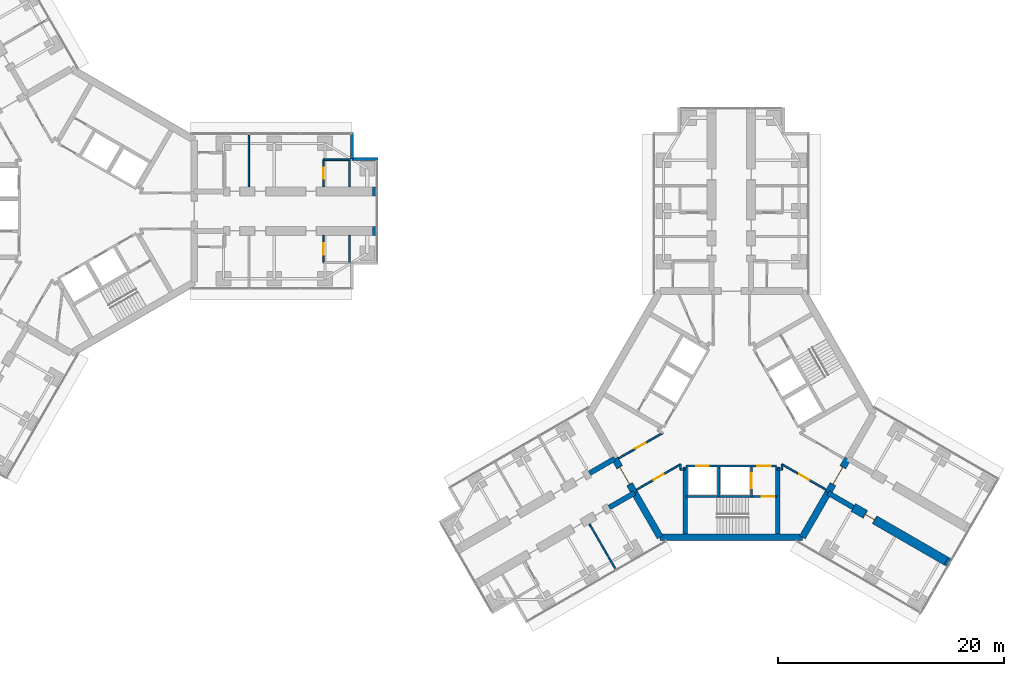
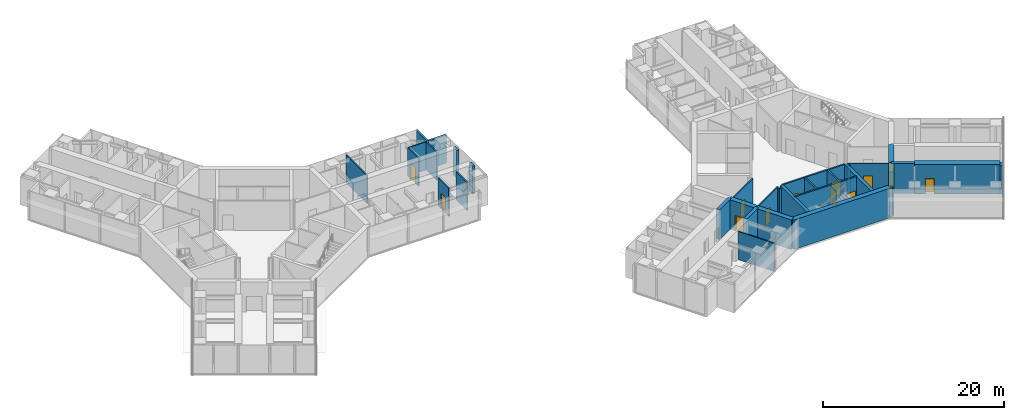
# One storey, part 18 of 22: 34 walls, 12 doors, 12 openings.
"""IFC4 building model written with IfcOpenShell, lengths in metres."""

from ifc_helpers import new_model, si_unit, direction, frame, frame_2d, origin, place, context, subcontext, project, spatial, rectangle, extrude, material, layer, layer_set, type_object, element, fill, save


model = new_model("IFC4")

# Units and contexts
model_context = context("Model", 3, precision=1e-05, world=origin(), true_north=direction((0.0, 1.0)))
body_context = subcontext(model_context, "Body", "Model", "MODEL_VIEW")
ifc_project = project(units=[si_unit("LENGTHUNIT", "METRE"), si_unit("AREAUNIT", "SQUARE_METRE"), si_unit("VOLUMEUNIT", "CUBIC_METRE"), si_unit("PLANEANGLEUNIT", "RADIAN"), si_unit("MASSUNIT", "GRAM", prefix="KILO")], contexts=[model_context])

# Site, building, storey
site_placement = place(None, origin())
site = spatial("IfcSite", under=ifc_project, at=site_placement, CompositionType="ELEMENT")
building_placement = place(site_placement, origin())
building = spatial("IfcBuilding", under=site, at=building_placement, Name="Upepo Twin Towers", CompositionType="ELEMENT")
storey_placement = place(building_placement, frame((0.0, 0.0, 121.5)))
storey = spatial("IfcBuildingStorey", under=building, at=storey_placement, Name="L29", CompositionType="ELEMENT", Elevation=121.5)

# Walls
ifc_material_1 = material(Name="Dense concrete blockwork", Category="masonry")
ifc_layer_1 = layer(ifc_material_1, 0.800048828125)
ifc_layer_set_1 = layer_set([ifc_layer_1], Name="Buttress closer 800, blockwork with fire-stopping to the curtain wall")
wall_type_1 = type_object("IfcWallType", Name="Buttress closer 800, blockwork with fire-stopping to the curtain wall", PredefinedType="PARTITIONING", material=ifc_layer_set_1)
for number, where, z_axis, x_axis, name in (
    (1, (26.699951171875, 1.75, 0.0), (0.0, 0.0, 1.0), (1.0, 0.0, 0.0), "T1 L29 wing A buttress closer L"),
    (2, (26.699951171875, -1.75, 0.0), (0.0, 0.0, 1.0), (1.0, 0.0, 0.0), "T1 L29 wing A buttress closer R"),
):
    element("IfcWall", number, at=place(storey_placement, frame(where, z_axis=z_axis, x_axis=x_axis)), inside=storey, type_object=wall_type_1, Name=name, PredefinedType="PARTITIONING", context=body_context, shape_type="SweptSolid", body=[
        extrude(rectangle(XDim=0.300048828125, YDim=0.800048828125, at=frame_2d((0.14990234375, 0.0))), origin(), (0.0, 0.0, 1.0), 3.800048828125),
    ])
wall_1_placement = place(storey_placement, frame((77.543701171875, -31.015625, 0.0), z_axis=(0.0, 0.0, 1.0), x_axis=(0.865827443207, -0.500342721131, 0.0)))
element("IfcWall", 3, at=wall_1_placement, inside=storey, type_object=wall_type_1, Name="T2 L29 wing C buttress closer R", PredefinedType="PARTITIONING", context=body_context, shape_type="SweptSolid", body=[
    extrude(rectangle(XDim=0.249755859375, YDim=0.800048828125, at=frame_2d((0.125, 0.0))), origin(), (0.0, 0.0, 1.0), 3.800048828125),
])
ifc_material_2 = material(Name="Concrete C60/75", Category="concrete")
ifc_layer_2 = layer(ifc_material_2, 0.449951171875)
ifc_layer_set_2 = layer_set([ifc_layer_2], Name="Concrete C60/75")
wall_type_2 = type_object("IfcWallType", Name="Buttress wall 450 RC", PredefinedType="SHEAR", material=ifc_layer_set_2)
for number, where, z_axis, x_axis, name in (
    (4, (49.92822265625, -24.9697265625, 0.0), (0.0, 0.0, 1.0), (-0.866031863473, -0.499988811324, 0.0), "T2 wing B buttress wall L"),
    (5, (48.17822265625, -21.938720703125, 0.0), (0.0, 0.0, 1.0), (-0.866072649678, -0.499918158782, 0.0), "T2 wing B buttress wall R"),
    (6, (67.07177734375, -24.9697265625, 0.0), (0.0, 0.0, 1.0), (0.866031863473, -0.499988811324, 0.0), "T2 wing C buttress wall R"),
):
    element("IfcWall", number, at=place(storey_placement, frame(where, z_axis=z_axis, x_axis=x_axis)), inside=storey, type_object=wall_type_2, Name=name, PredefinedType="SHEAR", context=body_context, shape_type="SweptSolid", body=[
        extrude(rectangle(XDim=2.591796875, YDim=0.449951171875, at=frame_2d((1.2958984375, 0.0))), origin(), (0.0, 0.0, 1.0), 4.0),
    ])

# Wall, opening, door
ifc_material_3 = material(Name="Concrete C60/75", Category="concrete")
ifc_layer_3 = layer(ifc_material_3, 0.800048828125)
ifc_layer_set_3 = layer_set([ifc_layer_3], Name="Concrete C60/75")
wall_type_3 = type_object("IfcWallType", Name="Buttress wall 800 RC", PredefinedType="SHEAR", material=ifc_layer_set_3)
wall_2_placement = place(storey_placement, frame((69.31640625, -26.265625, 0.0), z_axis=(0.0, 0.0, 1.0), x_axis=(0.86602681393, -0.499997557548, 0.0)))
wall_2 = element("IfcWall", 7, at=wall_2_placement, inside=storey, type_object=wall_type_3, Name="T2 wing C buttress wall R part 2", PredefinedType="SHEAR", context=body_context, shape_type="SweptSolid", body=[
    extrude(rectangle(XDim=9.5, YDim=0.800048828125, at=frame_2d((4.75, 0.0))), origin(), (0.0, 0.0, 1.0), 4.0),
])
opening_1_placement = place(wall_2_placement, frame((1.199951171875, 0.0, 0.0)))
opening_1 = element("IfcOpeningElement", 8, at=opening_1_placement, cuts=wall_2, Name="Opening D1", PredefinedType="OPENING", context=body_context, shape_type="SweptSolid", body=[
    extrude(rectangle(XDim=1.0, YDim=2.10009765625, at=frame_2d((0.5, 1.050048828125))), frame((0.0, 0.409912109375, 0.0), z_axis=(0.0, -1.0, 0.0), x_axis=(1.0, 0.0, 0.0)), (0.0, 0.0, 1.0), 0.820068359375),
])
ifc_material_4 = material(Name="Timber doorset", Category="wood")
door_type_1 = type_object("IfcDoorType", Name="Room door 1000 FD30", OperationType="SINGLE_SWING_LEFT", PredefinedType="DOOR", material=ifc_material_4)
door_1_placement = place(opening_1_placement, origin())
door_1 = element("IfcDoor", 9, at=door_1_placement, inside=storey, type_object=door_type_1, Name="T2 L29 staff office door", OperationType="SINGLE_SWING_LEFT", OverallHeight=2.10009765625, OverallWidth=1.0, PredefinedType="DOOR", context=body_context, shape_type="SweptSolid", body=[
    extrude(rectangle(XDim=0.92, YDim=2.06009765625, at=frame_2d((0.5, 1.030029296875))), frame((0.0, 0.02490234375, 0.0), z_axis=(0.0, -1.0, 0.0), x_axis=(1.0, 0.0, 0.0)), (0.0, 0.0, 1.0), 0.050048828125),
    extrude(rectangle(XDim=0.04, YDim=2.10009765625, at=frame_2d((0.02001953125, 1.050048828125))), frame((0.0, 0.39990234375, 0.0), z_axis=(0.0, -1.0, 0.0), x_axis=(1.0, 0.0, 0.0)), (0.0, 0.0, 1.0), 0.799560546875),
    extrude(rectangle(XDim=0.04, YDim=2.10009765625, at=frame_2d((0.97998046875, 1.050048828125))), frame((0.0, 0.39990234375, 0.0), z_axis=(0.0, -1.0, 0.0), x_axis=(1.0, 0.0, 0.0)), (0.0, 0.0, 1.0), 0.799560546875),
    extrude(rectangle(XDim=0.92, YDim=0.04, at=frame_2d((0.5, 2.080078125))), frame((0.0, 0.39990234375, 0.0), z_axis=(0.0, -1.0, 0.0), x_axis=(1.0, 0.0, 0.0)), (0.0, 0.0, 1.0), 0.799560546875),
])
fill(opening_1, door_1)

ifc_material_5 = material(Name="Concrete C60/75", Category="concrete")
ifc_layer_4 = layer(ifc_material_5, 0.60009765625)
ifc_layer_set_4 = layer_set([ifc_layer_4], Name="Concrete C60/75")
wall_type_4 = type_object("IfcWallType", Name="Core wall 600 RC", PredefinedType="SHEAR", material=ifc_layer_set_4)
wall_3_placement = place(storey_placement, frame((48.17822265625, -21.938720703125, 0.0), z_axis=(0.0, 0.0, 1.0), x_axis=(0.500010275428, -0.866019471182, 0.0)))
wall_3 = element("IfcWall", 10, at=wall_3_placement, inside=storey, type_object=wall_type_4, Name="T2 core wall 120", PredefinedType="SHEAR", context=body_context, shape_type="SweptSolid", body=[
    extrude(rectangle(XDim=3.5, YDim=0.60009765625, at=frame_2d((1.75, 0.0))), origin(), (0.0, 0.0, 1.0), 4.0),
])
opening_2_placement = place(wall_3_placement, frame((0.85009765625, 0.0, 0.0)))
opening_2 = element("IfcOpeningElement", 11, at=opening_2_placement, cuts=wall_3, Name="Opening D2", PredefinedType="OPENING", context=body_context, shape_type="SweptSolid", body=[
    extrude(rectangle(XDim=1.800048828125, YDim=2.10009765625, at=frame_2d((0.89990234375, 1.050048828125))), frame((0.0, 0.31005859375, 0.0), z_axis=(0.0, -1.0, 0.0), x_axis=(1.0, 0.0, 0.0)), (0.0, 0.0, 1.0), 0.6201171875),
])
ifc_material_6 = material(Name="Timber doorset", Category="wood")
door_type_2 = type_object("IfcDoorType", Name="Corridor double door 1800 FD60", OperationType="DOUBLE_DOOR_DOUBLE_SWING", PredefinedType="DOOR", material=ifc_material_6)
door_2_placement = place(opening_2_placement, origin())
door_2 = element("IfcDoor", 12, at=door_2_placement, inside=storey, type_object=door_type_2, Name="T2 L29 wing B corridor door", OperationType="DOUBLE_DOOR_DOUBLE_SWING", OverallHeight=2.10009765625, OverallWidth=1.800048828125, PredefinedType="DOOR", context=body_context, shape_type="SweptSolid", body=[
    extrude(rectangle(XDim=1.720048828125, YDim=2.06009765625, at=frame_2d((0.89990234375, 1.030029296875))), frame((0.0, 0.02490234375, 0.0), z_axis=(0.0, -1.0, 0.0), x_axis=(1.0, 0.0, 0.0)), (0.0, 0.0, 1.0), 0.050048828125),
    extrude(rectangle(XDim=0.04, YDim=2.10009765625, at=frame_2d((0.02001953125, 1.050048828125))), frame((0.0, 0.2998046875, 0.0), z_axis=(0.0, -1.0, 0.0), x_axis=(1.0, 0.0, 0.0)), (0.0, 0.0, 1.0), 0.599609375),
    extrude(rectangle(XDim=0.04, YDim=2.10009765625, at=frame_2d((1.780029296875, 1.050048828125))), frame((0.0, 0.2998046875, 0.0), z_axis=(0.0, -1.0, 0.0), x_axis=(1.0, 0.0, 0.0)), (0.0, 0.0, 1.0), 0.599609375),
    extrude(rectangle(XDim=1.720048828125, YDim=0.04, at=frame_2d((0.89990234375, 2.080078125))), frame((0.0, 0.2998046875, 0.0), z_axis=(0.0, -1.0, 0.0), x_axis=(1.0, 0.0, 0.0)), (0.0, 0.0, 1.0), 0.599609375),
])
fill(opening_2, door_2)

# Walls
wall_4_placement = place(storey_placement, frame((49.92822265625, -24.9697265625, 0.0), z_axis=(0.0, 0.0, 1.0), x_axis=(0.499984222037, -0.866034513004, 0.0)))
element("IfcWall", 13, at=wall_4_placement, inside=storey, type_object=wall_type_4, Name="T2 core wall 120 L", PredefinedType="SHEAR", context=body_context, shape_type="SweptSolid", body=[
    extrude(rectangle(XDim=4.548095703125, YDim=0.60009765625, at=frame_2d((2.27392578125, 0.0))), origin(), (0.0, 0.0, 1.0), 4.0),
])
wall_5_placement = place(storey_placement, frame((52.2021484375, -28.908447265625, 0.0), z_axis=(0.0, 0.0, 1.0), x_axis=(1.0, 0.0, 0.0)))
element("IfcWall", 14, at=wall_5_placement, inside=storey, type_object=wall_type_4, Name="T2 core wall 180", PredefinedType="SHEAR", context=body_context, shape_type="SweptSolid", body=[
    extrude(rectangle(XDim=12.595703125, YDim=0.60009765625, at=frame_2d((6.2978515625, 0.0))), origin(), (0.0, 0.0, 1.0), 4.0),
])
wall_6_placement = place(storey_placement, frame((64.7978515625, -28.908447265625, 0.0), z_axis=(0.0, 0.0, 1.0), x_axis=(0.499984222037, 0.866034513004, 0.0)))
element("IfcWall", 15, at=wall_6_placement, inside=storey, type_object=wall_type_4, Name="T2 core wall 240 R", PredefinedType="SHEAR", context=body_context, shape_type="SweptSolid", body=[
    extrude(rectangle(XDim=4.548095703125, YDim=0.60009765625, at=frame_2d((2.27392578125, 0.0))), origin(), (0.0, 0.0, 1.0), 4.0),
])

# Wall, opening, door
wall_7_placement = place(storey_placement, frame((67.07177734375, -24.9697265625, 0.0), z_axis=(0.0, 0.0, 1.0), x_axis=(0.500010275428, 0.866019471182, 0.0)))
wall_7 = element("IfcWall", 16, at=wall_7_placement, inside=storey, type_object=wall_type_4, Name="T2 core wall 240", PredefinedType="SHEAR", context=body_context, shape_type="SweptSolid", body=[
    extrude(rectangle(XDim=3.5, YDim=0.60009765625, at=frame_2d((1.75, 0.0))), origin(), (0.0, 0.0, 1.0), 4.0),
])
opening_3_placement = place(wall_7_placement, frame((0.85009765625, 0.0, 0.0)))
opening_3 = element("IfcOpeningElement", 17, at=opening_3_placement, cuts=wall_7, Name="Opening D2", PredefinedType="OPENING", context=body_context, shape_type="SweptSolid", body=[
    extrude(rectangle(XDim=1.800048828125, YDim=2.10009765625, at=frame_2d((0.89990234375, 1.050048828125))), frame((0.0, 0.31005859375, 0.0), z_axis=(0.0, -1.0, 0.0), x_axis=(1.0, 0.0, 0.0)), (0.0, 0.0, 1.0), 0.6201171875),
])
door_3_placement = place(opening_3_placement, origin())
door_3 = element("IfcDoor", 18, at=door_3_placement, inside=storey, type_object=door_type_2, Name="T2 L29 wing C corridor door", OperationType="DOUBLE_DOOR_DOUBLE_SWING", OverallHeight=2.10009765625, OverallWidth=1.800048828125, PredefinedType="DOOR", context=body_context, shape_type="SweptSolid", body=[
    extrude(rectangle(XDim=1.720048828125, YDim=2.06009765625, at=frame_2d((0.89990234375, 1.030029296875))), frame((0.0, 0.02490234375, 0.0), z_axis=(0.0, -1.0, 0.0), x_axis=(1.0, 0.0, 0.0)), (0.0, 0.0, 1.0), 0.050048828125),
    extrude(rectangle(XDim=0.04, YDim=2.10009765625, at=frame_2d((0.02001953125, 1.050048828125))), frame((0.0, 0.2998046875, 0.0), z_axis=(0.0, -1.0, 0.0), x_axis=(1.0, 0.0, 0.0)), (0.0, 0.0, 1.0), 0.599609375),
    extrude(rectangle(XDim=0.04, YDim=2.10009765625, at=frame_2d((1.780029296875, 1.050048828125))), frame((0.0, 0.2998046875, 0.0), z_axis=(0.0, -1.0, 0.0), x_axis=(1.0, 0.0, 0.0)), (0.0, 0.0, 1.0), 0.599609375),
    extrude(rectangle(XDim=1.720048828125, YDim=0.04, at=frame_2d((0.89990234375, 2.080078125))), frame((0.0, 0.2998046875, 0.0), z_axis=(0.0, -1.0, 0.0), x_axis=(1.0, 0.0, 0.0)), (0.0, 0.0, 1.0), 0.599609375),
])
fill(opening_3, door_3)

# Walls
ifc_material_7 = material(Name="Blockwork with anodised aluminium cladding", Category="masonry")
ifc_layer_5 = layer(ifc_material_7, 0.25)
ifc_layer_set_5 = layer_set([ifc_layer_5], Name="Notch cladding wall 250, pale metal")
wall_type_5 = type_object("IfcWallType", Name="Notch cladding wall 250, pale metal", PredefinedType="STANDARD", material=ifc_layer_set_5)
for number, where, z_axis, x_axis, name in (
    (19, (24.875, 6.949951171875, 0.0), (0.0, 0.0, 1.0), (0.0, -1.0, 0.0), "T1 L29 wing A notch wall L1"),
    (20, (24.875, 4.625, 0.0), (0.0, 0.0, 1.0), (1.0, 0.0, 0.0), "T1 L29 wing A notch wall L2"),
):
    element("IfcWall", number, at=place(storey_placement, frame(where, z_axis=z_axis, x_axis=x_axis)), inside=storey, type_object=wall_type_5, Name=name, PredefinedType="STANDARD", context=body_context, shape_type="SweptSolid", body=[
        extrude(rectangle(XDim=2.324951171875, YDim=0.25, at=frame_2d((1.16259765625, 0.0))), origin(), (0.0, 0.0, 1.0), 3.800048828125),
    ])

# Wall, openings, doors
ifc_material_8 = material(Name="Concrete C40/50", Category="concrete")
ifc_layer_6 = layer(ifc_material_8, 0.199951171875)
ifc_layer_set_6 = layer_set([ifc_layer_6], Name="Concrete C40/50")
wall_type_6 = type_object("IfcWallType", Name="Shaft wall 200 RC", PredefinedType="SHEAR", material=ifc_layer_set_6)
wall_8_placement = place(storey_placement, frame((54.5, -22.60009765625, 0.0), z_axis=(0.0, 0.0, 1.0), x_axis=(1.0, 0.0, 0.0)))
wall_8 = element("IfcWall", 21, at=wall_8_placement, inside=storey, type_object=wall_type_6, Name="T2 core W180 front wall", PredefinedType="SHEAR", context=body_context, shape_type="SweptSolid", body=[
    extrude(rectangle(XDim=8.0, YDim=0.199951171875, at=frame_2d((4.0, 0.0))), origin(), (0.0, 0.0, 1.0), 4.0),
])
opening_4_placement = place(wall_8_placement, frame((6.300048828125, 0.0, 0.0)))
opening_4 = element("IfcOpeningElement", 22, at=opening_4_placement, cuts=wall_8, Name="Opening D4", PredefinedType="OPENING", context=body_context, shape_type="SweptSolid", body=[
    extrude(rectangle(XDim=1.199951171875, YDim=2.10009765625, at=frame_2d((0.60009765625, 1.050048828125))), frame((0.0, 0.10986328125, 0.0), z_axis=(0.0, -1.0, 0.0), x_axis=(1.0, 0.0, 0.0)), (0.0, 0.0, 1.0), 0.219970703125),
])
opening_5_placement = place(wall_8_placement, frame((0.89990234375, 0.0, 0.0)))
opening_5 = element("IfcOpeningElement", 23, at=opening_5_placement, cuts=wall_8, Name="Opening LD1", PredefinedType="OPENING", context=body_context, shape_type="SweptSolid", body=[
    extrude(rectangle(XDim=1.10009765625, YDim=2.199951171875, at=frame_2d((0.550048828125, 1.10009765625))), frame((0.0, 0.10986328125, 0.0), z_axis=(0.0, -1.0, 0.0), x_axis=(1.0, 0.0, 0.0)), (0.0, 0.0, 1.0), 0.219970703125),
])
ifc_material_9 = material(Name="Steel doorset", Category="steel")
door_type_3 = type_object("IfcDoorType", Name="Lift landing door 1100", OperationType="DOUBLE_DOOR_SLIDING", PredefinedType="DOOR", material=ifc_material_9)
door_4_placement = place(opening_5_placement, origin())
door_4 = element("IfcDoor", 24, at=door_4_placement, inside=storey, type_object=door_type_3, Name="T2 L29 lift SV1 landing door", OperationType="DOUBLE_DOOR_SLIDING", OverallHeight=2.199951171875, OverallWidth=1.10009765625, PredefinedType="DOOR", context=body_context, shape_type="SweptSolid", body=[
    extrude(rectangle(XDim=1.10009765625, YDim=2.199951171875, at=frame_2d((0.550048828125, 1.10009765625))), frame((0.0, 0.02490234375, 0.0), z_axis=(0.0, -1.0, 0.0), x_axis=(1.0, 0.0, 0.0)), (0.0, 0.0, 1.0), 0.050048828125),
])
fill(opening_5, door_4)
ifc_material_10 = material(Name="Timber doorset", Category="wood")
door_type_4 = type_object("IfcDoorType", Name="Lobby door 1200 FD60", OperationType="SINGLE_SWING_LEFT", PredefinedType="DOOR", material=ifc_material_10)
door_5_placement = place(opening_4_placement, origin())
door_5 = element("IfcDoor", 25, at=door_5_placement, inside=storey, type_object=door_type_4, Name="T2 L29 W180 lobby door", OperationType="SINGLE_SWING_RIGHT", OverallHeight=2.10009765625, OverallWidth=1.199951171875, PredefinedType="DOOR", context=body_context, shape_type="SweptSolid", body=[
    extrude(rectangle(XDim=1.199951171875, YDim=2.10009765625, at=frame_2d((0.60009765625, 1.050048828125))), frame((0.0, 0.02490234375, 0.0), z_axis=(0.0, -1.0, 0.0), x_axis=(1.0, 0.0, 0.0)), (0.0, 0.0, 1.0), 0.050048828125),
])
fill(opening_4, door_5)

# Wall
wall_9_placement = place(storey_placement, frame((57.39990234375, -22.699951171875, 0.0), z_axis=(0.0, 0.0, 1.0), x_axis=(0.0, -1.0, 0.0)))
element("IfcWall", 26, at=wall_9_placement, inside=storey, type_object=wall_type_6, Name="T2 core W180 shaft divider", PredefinedType="SHEAR", context=body_context, shape_type="SweptSolid", body=[
    extrude(rectangle(XDim=2.60009765625, YDim=0.199951171875, at=frame_2d((1.300048828125, 0.0))), origin(), (0.0, 0.0, 1.0), 4.0),
])

# Wall, opening, door
wall_10_placement = place(storey_placement, frame((60.300048828125, -22.699951171875, 0.0), z_axis=(0.0, 0.0, 1.0), x_axis=(0.0, -1.0, 0.0)))
wall_10 = element("IfcWall", 27, at=wall_10_placement, inside=storey, type_object=wall_type_6, Name="T2 core W180 lobby wall", PredefinedType="SHEAR", context=body_context, shape_type="SweptSolid", body=[
    extrude(rectangle(XDim=2.60009765625, YDim=0.199951171875, at=frame_2d((1.300048828125, 0.0))), origin(), (0.0, 0.0, 1.0), 4.0),
])
opening_6_placement = place(wall_10_placement, frame((0.550048828125, 0.0, 0.0)))
opening_6 = element("IfcOpeningElement", 28, at=opening_6_placement, cuts=wall_10, Name="Opening LD2", PredefinedType="OPENING", context=body_context, shape_type="SweptSolid", body=[
    extrude(rectangle(XDim=1.300048828125, YDim=2.199951171875, at=frame_2d((0.64990234375, 1.10009765625))), frame((0.0, 0.10986328125, 0.0), z_axis=(0.0, -1.0, 0.0), x_axis=(1.0, 0.0, 0.0)), (0.0, 0.0, 1.0), 0.219970703125),
])
ifc_material_11 = material(Name="Steel doorset", Category="steel")
door_type_5 = type_object("IfcDoorType", Name="Firefighting lift landing door 1300", OperationType="DOUBLE_DOOR_SLIDING", PredefinedType="DOOR", material=ifc_material_11)
door_6_placement = place(opening_6_placement, origin())
door_6 = element("IfcDoor", 29, at=door_6_placement, inside=storey, type_object=door_type_5, Name="T2 L29 firefighting lift landing door", OperationType="DOUBLE_DOOR_SLIDING", OverallHeight=2.199951171875, OverallWidth=1.300048828125, PredefinedType="DOOR", context=body_context, shape_type="SweptSolid", body=[
    extrude(rectangle(XDim=1.300048828125, YDim=2.199951171875, at=frame_2d((0.64990234375, 1.10009765625))), frame((0.0, 0.02490234375, 0.0), z_axis=(0.0, -1.0, 0.0), x_axis=(1.0, 0.0, 0.0)), (0.0, 0.0, 1.0), 0.050048828125),
])
fill(opening_6, door_6)

wall_11_placement = place(storey_placement, frame((54.5, -25.300048828125, 0.0), z_axis=(0.0, 0.0, 1.0), x_axis=(1.0, 0.0, 0.0)))
wall_11 = element("IfcWall", 30, at=wall_11_placement, inside=storey, type_object=wall_type_6, Name="T2 core W180 stair wall", PredefinedType="SHEAR", context=body_context, shape_type="SweptSolid", body=[
    extrude(rectangle(XDim=8.0, YDim=0.199951171875, at=frame_2d((4.0, 0.0))), origin(), (0.0, 0.0, 1.0), 4.0),
])
opening_7_placement = place(wall_11_placement, frame((6.699951171875, 0.0, 0.0)))
opening_7 = element("IfcOpeningElement", 31, at=opening_7_placement, cuts=wall_11, Name="Opening D3", PredefinedType="OPENING", context=body_context, shape_type="SweptSolid", body=[
    extrude(rectangle(XDim=1.10009765625, YDim=2.10009765625, at=frame_2d((0.550048828125, 1.050048828125))), frame((0.0, 0.10986328125, 0.0), z_axis=(0.0, -1.0, 0.0), x_axis=(1.0, 0.0, 0.0)), (0.0, 0.0, 1.0), 0.219970703125),
])
ifc_material_12 = material(Name="Timber doorset", Category="wood")
door_type_6 = type_object("IfcDoorType", Name="Stair door 1100 FD60", OperationType="SINGLE_SWING_LEFT", PredefinedType="DOOR", material=ifc_material_12)
door_7_placement = place(opening_7_placement, origin())
door_7 = element("IfcDoor", 32, at=door_7_placement, inside=storey, type_object=door_type_6, Name="T2 L29 stair door", OperationType="SINGLE_SWING_RIGHT", OverallHeight=2.10009765625, OverallWidth=1.10009765625, PredefinedType="DOOR", context=body_context, shape_type="SweptSolid", body=[
    extrude(rectangle(XDim=1.10009765625, YDim=2.10009765625, at=frame_2d((0.550048828125, 1.050048828125))), frame((0.0, 0.02490234375, 0.0), z_axis=(0.0, -1.0, 0.0), x_axis=(1.0, 0.0, 0.0)), (0.0, 0.0, 1.0), 0.050048828125),
])
fill(opening_7, door_7)

# Walls
ifc_material_13 = material(Name="Concrete C40/50", Category="concrete")
ifc_layer_7 = layer(ifc_material_13, 0.39990234375)
ifc_layer_set_7 = layer_set([ifc_layer_7], Name="Concrete C40/50")
wall_type_7 = type_object("IfcWallType", Name="Shaft wall 400 RC", PredefinedType="SHEAR", material=ifc_layer_set_7)
for number, where, z_axis, x_axis, name in (
    (33, (62.60009765625, -22.699951171875, 0.0), (0.0, 0.0, 1.0), (0.0, -1.0, 0.0), "T2 core W180 side wall N"),
    (34, (54.39990234375, -22.699951171875, 0.0), (0.0, 0.0, 1.0), (0.0, -1.0, 0.0), "T2 core W180 side wall S"),
):
    element("IfcWall", number, at=place(storey_placement, frame(where, z_axis=z_axis, x_axis=x_axis)), inside=storey, type_object=wall_type_7, Name=name, PredefinedType="SHEAR", context=body_context, shape_type="SweptSolid", body=[
        extrude(rectangle(XDim=5.908447265625, YDim=0.39990234375, at=frame_2d((2.9541015625, 0.0))), origin(), (0.0, 0.0, 1.0), 4.0),
    ])
ifc_material_14 = material(Name="Gypsum board on steel studs", Category="steel")
ifc_layer_8 = layer(ifc_material_14, 0.14990234375)
ifc_layer_set_8 = layer_set([ifc_layer_8], Name="Teaching partition 150 acoustic")
wall_type_8 = type_object("IfcWallType", Name="Teaching partition 150 acoustic", PredefinedType="PARTITIONING", material=ifc_layer_set_8)
wall_12_placement = place(storey_placement, frame((15.75, 2.14990234375, 0.0), z_axis=(0.0, 0.0, 1.0), x_axis=(0.0, 1.0, 0.0)))
element("IfcWall", 35, at=wall_12_placement, inside=storey, type_object=wall_type_8, Name="T1 partition AL at 15.75", PredefinedType="PARTITIONING", context=body_context, shape_type="SweptSolid", body=[
    extrude(rectangle(XDim=4.60009765625, YDim=0.14990234375, at=frame_2d((2.300048828125, 0.0))), origin(), (0.0, 0.0, 1.0), 3.800048828125),
])
wall_13_placement = place(storey_placement, frame((22.35009765625, 4.550048828125, 0.0), z_axis=(0.0, 0.0, 1.0), x_axis=(1.0, 0.0, 0.0)))
element("IfcWall", 36, at=wall_13_placement, inside=storey, type_object=wall_type_8, Name="T1 inner room partition AL at 22.35", PredefinedType="PARTITIONING", context=body_context, shape_type="SweptSolid", body=[
    extrude(rectangle(XDim=2.39990234375, YDim=0.14990234375, at=frame_2d((1.199951171875, 0.0))), origin(), (0.0, 0.0, 1.0), 3.800048828125),
])

# Wall, opening, door
wall_14_placement = place(storey_placement, frame((22.35009765625, 2.14990234375, 0.0), z_axis=(0.0, 0.0, 1.0), x_axis=(0.0, 1.0, 0.0)))
wall_14 = element("IfcWall", 37, at=wall_14_placement, inside=storey, type_object=wall_type_8, Name="T1 inner room partition AL end at 22.35", PredefinedType="PARTITIONING", context=body_context, shape_type="SweptSolid", body=[
    extrude(rectangle(XDim=2.400146484375, YDim=0.14990234375, at=frame_2d((1.2001953125, 0.0))), origin(), (0.0, 0.0, 1.0), 3.800048828125),
])
opening_8_placement = place(wall_14_placement, frame((0.699951171875, 0.0, 0.0)))
opening_8 = element("IfcOpeningElement", 38, at=opening_8_placement, cuts=wall_14, Name="Opening D1", PredefinedType="OPENING", context=body_context, shape_type="SweptSolid", body=[
    extrude(rectangle(XDim=1.0, YDim=2.10009765625, at=frame_2d((0.5, 1.050048828125))), frame((0.0, 0.0849609375, 0.0), z_axis=(0.0, -1.0, 0.0), x_axis=(1.0, 0.0, 0.0)), (0.0, 0.0, 1.0), 0.169921875),
])
door_8_placement = place(opening_8_placement, origin())
door_8 = element("IfcDoor", 39, at=door_8_placement, inside=storey, type_object=door_type_1, Name="T1 L29 inner room door", OperationType="SINGLE_SWING_LEFT", OverallHeight=2.10009765625, OverallWidth=1.0, PredefinedType="DOOR", context=body_context, shape_type="SweptSolid", body=[
    extrude(rectangle(XDim=1.0, YDim=2.10009765625, at=frame_2d((0.5, 1.050048828125))), frame((0.0, 0.02490234375, 0.0), z_axis=(0.0, -1.0, 0.0), x_axis=(1.0, 0.0, 0.0)), (0.0, 0.0, 1.0), 0.050048828125),
])
fill(opening_8, door_8)

# Wall
wall_15_placement = place(storey_placement, frame((24.675048828125, 2.14990234375, 0.0), z_axis=(0.0, 0.0, 1.0), x_axis=(0.0, 1.0, 0.0)))
element("IfcWall", 40, at=wall_15_placement, inside=storey, type_object=wall_type_8, Name="T1 inner room partition AL end at 24.75", PredefinedType="PARTITIONING", context=body_context, shape_type="SweptSolid", body=[
    extrude(rectangle(XDim=2.400146484375, YDim=0.14990234375, at=frame_2d((1.2001953125, 0.0))), origin(), (0.0, 0.0, 1.0), 3.800048828125),
])

# Wall, opening, door
wall_16_placement = place(storey_placement, frame((22.35009765625, -2.14990234375, 0.0), z_axis=(0.0, 0.0, 1.0), x_axis=(0.0, -1.0, 0.0)))
wall_16 = element("IfcWall", 41, at=wall_16_placement, inside=storey, type_object=wall_type_8, Name="T1 inner room partition AR end at 22.35", PredefinedType="PARTITIONING", context=body_context, shape_type="SweptSolid", body=[
    extrude(rectangle(XDim=2.400146484375, YDim=0.14990234375, at=frame_2d((1.2001953125, 0.0))), origin(), (0.0, 0.0, 1.0), 3.800048828125),
])
opening_9_placement = place(wall_16_placement, frame((0.699951171875, 0.0, 0.0)))
opening_9 = element("IfcOpeningElement", 42, at=opening_9_placement, cuts=wall_16, Name="Opening D1", PredefinedType="OPENING", context=body_context, shape_type="SweptSolid", body=[
    extrude(rectangle(XDim=1.0, YDim=2.10009765625, at=frame_2d((0.5, 1.050048828125))), frame((0.0, 0.0849609375, 0.0), z_axis=(0.0, -1.0, 0.0), x_axis=(1.0, 0.0, 0.0)), (0.0, 0.0, 1.0), 0.169921875),
])
door_9_placement = place(opening_9_placement, origin())
door_9 = element("IfcDoor", 43, at=door_9_placement, inside=storey, type_object=door_type_1, Name="T1 L29 inner room door", OperationType="SINGLE_SWING_LEFT", OverallHeight=2.10009765625, OverallWidth=1.0, PredefinedType="DOOR", context=body_context, shape_type="SweptSolid", body=[
    extrude(rectangle(XDim=1.0, YDim=2.10009765625, at=frame_2d((0.5, 1.050048828125))), frame((0.0, 0.02490234375, 0.0), z_axis=(0.0, -1.0, 0.0), x_axis=(1.0, 0.0, 0.0)), (0.0, 0.0, 1.0), 0.050048828125),
])
fill(opening_9, door_9)

# Walls
wall_17_placement = place(storey_placement, frame((24.675048828125, -2.14990234375, 0.0), z_axis=(0.0, 0.0, 1.0), x_axis=(0.0, -1.0, 0.0)))
element("IfcWall", 44, at=wall_17_placement, inside=storey, type_object=wall_type_8, Name="T1 inner room partition AR end at 24.75", PredefinedType="PARTITIONING", context=body_context, shape_type="SweptSolid", body=[
    extrude(rectangle(XDim=2.400146484375, YDim=0.14990234375, at=frame_2d((1.2001953125, 0.0))), origin(), (0.0, 0.0, 1.0), 3.800048828125),
])
wall_18_placement = place(storey_placement, frame((45.93505859375, -27.737060546875, 0.0), z_axis=(0.0, 0.0, 1.0), x_axis=(0.500014953309, -0.866016770315, 0.0)))
element("IfcWall", 45, at=wall_18_placement, inside=storey, type_object=wall_type_8, Name="T2 partition BL at 15.75", PredefinedType="PARTITIONING", context=body_context, shape_type="SweptSolid", body=[
    extrude(rectangle(XDim=4.599853515625, YDim=0.14990234375, at=frame_2d((2.2998046875, 0.0))), origin(), (0.0, 0.0, 1.0), 3.800048828125),
])
wall_19_placement = place(storey_placement, frame((54.0, -22.919921875, 0.0), z_axis=(0.0, 0.0, 1.0), x_axis=(0.0, 1.0, 0.0)))
element("IfcWall", 46, at=wall_19_placement, inside=storey, type_object=wall_type_8, Name="T2 core room partition 1", PredefinedType="PARTITIONING", context=body_context, shape_type="SweptSolid", body=[
    extrude(rectangle(XDim=0.494384765625, YDim=0.14990234375, at=frame_2d((0.2470703125, 0.0))), origin(), (0.0, 0.0, 1.0), 3.800048828125),
])

# Wall, opening, door
wall_20_placement = place(storey_placement, frame((54.017333984375, -22.435546875, 0.0), z_axis=(0.0, 0.0, 1.0), x_axis=(-0.86602002524, -0.500009315796, 0.0)))
wall_20 = element("IfcWall", 47, at=wall_20_placement, inside=storey, type_object=wall_type_8, Name="T2 core room partition 2", PredefinedType="PARTITIONING", context=body_context, shape_type="SweptSolid", body=[
    extrude(rectangle(XDim=4.5185546875, YDim=0.14990234375, at=frame_2d((2.25927734375, 0.0))), origin(), (0.0, 0.0, 1.0), 3.800048828125),
])
opening_10_placement = place(wall_20_placement, frame((1.769287109375, 0.0, 0.0)))
opening_10 = element("IfcOpeningElement", 48, at=opening_10_placement, cuts=wall_20, Name="Opening D1", PredefinedType="OPENING", context=body_context, shape_type="SweptSolid", body=[
    extrude(rectangle(XDim=1.0, YDim=2.10009765625, at=frame_2d((0.5, 1.050048828125))), frame((0.0, 0.0849609375, 0.0), z_axis=(0.0, -1.0, 0.0), x_axis=(1.0, 0.0, 0.0)), (0.0, 0.0, 1.0), 0.169921875),
])
door_10_placement = place(opening_10_placement, origin())
door_10 = element("IfcDoor", 49, at=door_10_placement, inside=storey, type_object=door_type_1, Name="T2 L29 core room door K2", OperationType="SINGLE_SWING_RIGHT", OverallHeight=2.10009765625, OverallWidth=1.0, PredefinedType="DOOR", context=body_context, shape_type="SweptSolid", body=[
    extrude(rectangle(XDim=1.0, YDim=2.10009765625, at=frame_2d((0.5, 1.050048828125))), frame((0.0, 0.02490234375, 0.0), z_axis=(0.0, -1.0, 0.0), x_axis=(1.0, 0.0, 0.0)), (0.0, 0.0, 1.0), 0.050048828125),
])
fill(opening_10, door_10)

wall_21_placement = place(storey_placement, frame((48.50439453125, -21.923583984375, 0.0), z_axis=(0.0, 0.0, 1.0), x_axis=(0.866006515865, 0.500032713409, 0.0)))
wall_21 = element("IfcWall", 50, at=wall_21_placement, inside=storey, type_object=wall_type_8, Name="T2 core room partition 3", PredefinedType="PARTITIONING", context=body_context, shape_type="SweptSolid", body=[
    extrude(rectangle(XDim=4.518310546875, YDim=0.14990234375, at=frame_2d((2.25927734375, 0.0))), origin(), (0.0, 0.0, 1.0), 3.800048828125),
])
opening_11_placement = place(wall_21_placement, frame((1.7490234375, 0.0, 0.0)))
opening_11 = element("IfcOpeningElement", 51, at=opening_11_placement, cuts=wall_21, Name="Opening D1", PredefinedType="OPENING", context=body_context, shape_type="SweptSolid", body=[
    extrude(rectangle(XDim=1.0, YDim=2.10009765625, at=frame_2d((0.5, 1.050048828125))), frame((0.0, 0.0849609375, 0.0), z_axis=(0.0, -1.0, 0.0), x_axis=(1.0, 0.0, 0.0)), (0.0, 0.0, 1.0), 0.169921875),
])
door_11_placement = place(opening_11_placement, origin())
door_11 = element("IfcDoor", 52, at=door_11_placement, inside=storey, type_object=door_type_1, Name="T2 L29 core room door K1", OperationType="SINGLE_SWING_LEFT", OverallHeight=2.10009765625, OverallWidth=1.0, PredefinedType="DOOR", context=body_context, shape_type="SweptSolid", body=[
    extrude(rectangle(XDim=1.0, YDim=2.10009765625, at=frame_2d((0.5, 1.050048828125))), frame((0.0, 0.02490234375, 0.0), z_axis=(0.0, -1.0, 0.0), x_axis=(1.0, 0.0, 0.0)), (0.0, 0.0, 1.0), 0.050048828125),
])
fill(opening_11, door_11)

wall_22_placement = place(storey_placement, frame((66.895751953125, -24.69482421875, 0.0), z_axis=(0.0, 0.0, 1.0), x_axis=(-0.86602002524, 0.500009315796, 0.0)))
wall_22 = element("IfcWall", 53, at=wall_22_placement, inside=storey, type_object=wall_type_8, Name="T2 core room partition 15", PredefinedType="PARTITIONING", context=body_context, shape_type="SweptSolid", body=[
    extrude(rectangle(XDim=4.5185546875, YDim=0.14990234375, at=frame_2d((2.25927734375, 0.0))), origin(), (0.0, 0.0, 1.0), 3.800048828125),
])
opening_12_placement = place(wall_22_placement, frame((1.7490234375, 0.0, 0.0)))
opening_12 = element("IfcOpeningElement", 54, at=opening_12_placement, cuts=wall_22, Name="Opening D1", PredefinedType="OPENING", context=body_context, shape_type="SweptSolid", body=[
    extrude(rectangle(XDim=1.0, YDim=2.10009765625, at=frame_2d((0.5, 1.050048828125))), frame((0.0, 0.0849609375, 0.0), z_axis=(0.0, -1.0, 0.0), x_axis=(1.0, 0.0, 0.0)), (0.0, 0.0, 1.0), 0.169921875),
])
door_12_placement = place(opening_12_placement, origin())
door_12 = element("IfcDoor", 55, at=door_12_placement, inside=storey, type_object=door_type_1, Name="T2 L29 core room door K3", OperationType="SINGLE_SWING_LEFT", OverallHeight=2.10009765625, OverallWidth=1.0, PredefinedType="DOOR", context=body_context, shape_type="SweptSolid", body=[
    extrude(rectangle(XDim=1.0, YDim=2.10009765625, at=frame_2d((0.5, 1.050048828125))), frame((0.0, 0.02490234375, 0.0), z_axis=(0.0, -1.0, 0.0), x_axis=(1.0, 0.0, 0.0)), (0.0, 0.0, 1.0), 0.050048828125),
])
fill(opening_12, door_12)

# Walls
wall_23_placement = place(storey_placement, frame((63.0, -22.425537109375, 0.0), z_axis=(0.0, 0.0, 1.0), x_axis=(0.0, -1.0, 0.0)))
element("IfcWall", 56, at=wall_23_placement, inside=storey, type_object=wall_type_8, Name="T2 core room partition 16", PredefinedType="PARTITIONING", context=body_context, shape_type="SweptSolid", body=[
    extrude(rectangle(XDim=0.494384765625, YDim=0.14990234375, at=frame_2d((0.2470703125, 0.0))), origin(), (0.0, 0.0, 1.0), 3.800048828125),
])
for number, where, z_axis, x_axis, name in (
    (57, (63.02001953125, -22.89990234375, 0.0), (0.0, 0.0, 1.0), (-1.0, 0.0, 0.0), "T2 core room partition 17"),
    (58, (54.409912109375, -22.89990234375, 0.0), (0.0, 0.0, 1.0), (-1.0, 0.0, 0.0), "T2 core room partition 18"),
):
    element("IfcWall", number, at=place(storey_placement, frame(where, z_axis=z_axis, x_axis=x_axis)), inside=storey, type_object=wall_type_8, Name=name, PredefinedType="PARTITIONING", context=body_context, shape_type="SweptSolid", body=[
        extrude(rectangle(XDim=0.429931640625, YDim=0.14990234375, at=frame_2d((0.21484375, 0.0))), origin(), (0.0, 0.0, 1.0), 3.800048828125),
    ])

save(model, "model.ifc")
